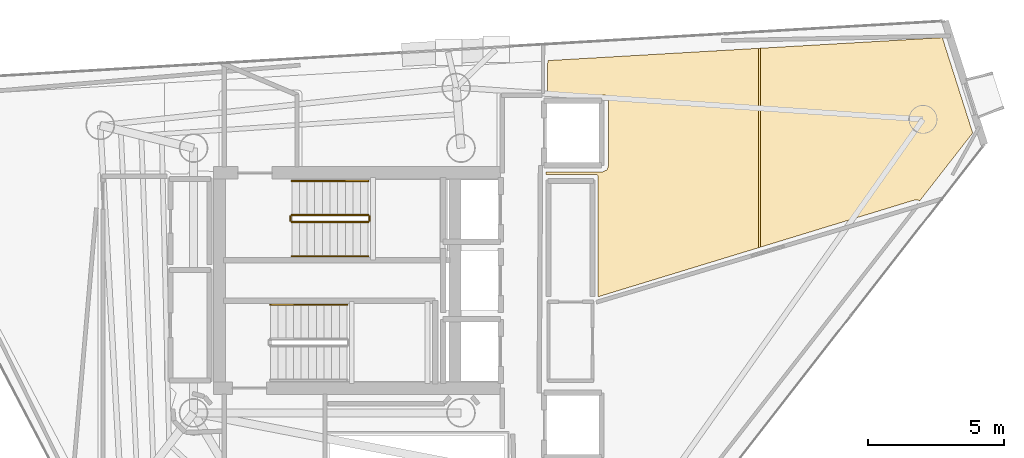
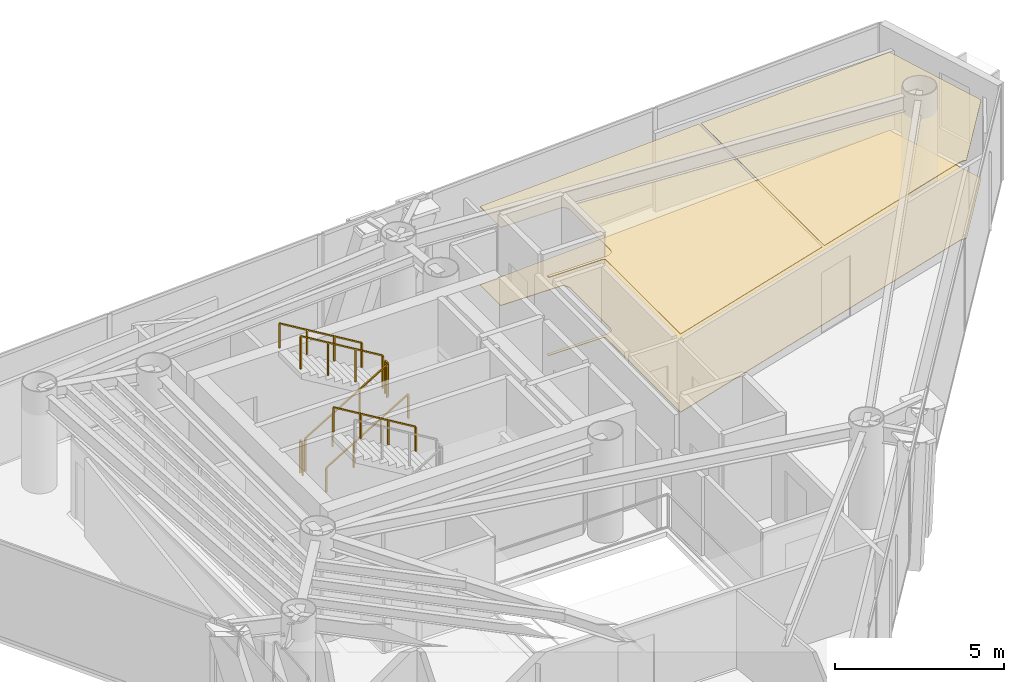
# One storey, part 18 of 18: 7 railings, 3 coverings.
"""IFC4 building model written with IfcOpenShell, lengths in metres."""

from ifc_helpers import new_model, si_unit, direction, frame, origin, origin_2d, place, context, subcontext, project, spatial, polyline, rectangle, outline, extrude, material, layer, layer_set, type_object, element, save


model = new_model("IFC4")

# Units and contexts
model_context = context("Model", 3, precision=1e-05, world=origin(), true_north=direction((0.0, 1.0)))
body_context = subcontext(model_context, "Body", "Model", "MODEL_VIEW")
ifc_project = project(units=[si_unit("LENGTHUNIT", "METRE"), si_unit("AREAUNIT", "SQUARE_METRE"), si_unit("VOLUMEUNIT", "CUBIC_METRE"), si_unit("PLANEANGLEUNIT", "RADIAN"), si_unit("MASSUNIT", "GRAM", prefix="KILO")], contexts=[model_context])

# Site, building, storey
site_placement = place(None, origin())
site = spatial("IfcSite", under=ifc_project, at=site_placement, CompositionType="ELEMENT")
building_placement = place(site_placement, origin())
building = spatial("IfcBuilding", under=site, at=building_placement, Name="Qianvela Tower", CompositionType="ELEMENT")
storey_placement = place(building_placement, frame((0.0, 0.0, 264.89990234375)))
storey = spatial("IfcBuildingStorey", under=building, at=storey_placement, Name="L68", CompositionType="ELEMENT", Elevation=264.89990234375)

# Coverings
ifc_material_1 = material(Name="Perforated Mineral Acoustic Ceiling Tile")
ifc_layer_1 = layer(ifc_material_1, 0.02490234375)
ifc_layer_set_1 = layer_set([ifc_layer_1], Name="Perforated Mineral Acoustic Ceiling Tile")
covering_type_1 = type_object("IfcCoveringType", Name="COV-CEIL-ACOUSTIC-25", PredefinedType="CEILING", material=ifc_layer_set_1)
covering_1_placement = place(storey_placement, frame((0.0, 0.0, 2.815185546875)))
element("IfcCovering", 1, at=covering_1_placement, inside=storey, type_object=covering_type_1, Name="L68 Acoustic Ceiling Bay 1 Campus Convenience Shop L68-04", PredefinedType="CEILING", context=body_context, shape_type="SweptSolid", body=[
    extrude(outline(polyline([(41.569580078125, 35.520751953125), (41.572265625, 35.52783203125), (41.57421875, 35.535400390625), (41.5751953125, 35.54296875), (41.57568359375, 35.550537109375), (41.580322265625, 36.759765625), (49.302490234375, 37.20849609375), (49.302490234375, 29.901123046875), (43.429931640625, 28.105712890625), (43.429931640625, 32.5), (43.4296875, 32.5078125), (43.428466796875, 32.515625), (43.426513671875, 32.523193359375), (43.423828125, 32.530517578125), (43.420654296875, 32.53759765625), (43.41650390625, 32.54443359375), (43.411865234375, 32.55078125), (43.406494140625, 32.556640625), (43.40087890625, 32.561767578125), (43.394287109375, 32.56640625), (43.3876953125, 32.570556640625), (43.380615234375, 32.573974609375), (43.373291015625, 32.57666015625), (43.365478515625, 32.57861328125), (43.35791015625, 32.57958984375), (43.35009765625, 32.580078125), (41.52001953125, 32.580078125), (41.52001953125, 32.679931640625), (43.580078125, 32.679931640625), (43.587158203125, 32.680419921875), (43.593994140625, 32.68115234375), (43.60107421875, 32.682861328125), (43.607666015625, 32.684814453125), (43.6142578125, 32.687744140625), (43.722412109375, 32.739013671875), (43.729248046875, 32.74267578125), (43.73583984375, 32.746826171875), (43.741943359375, 32.751953125), (43.74755859375, 32.757568359375), (43.75244140625, 32.763427734375), (43.7568359375, 32.77001953125), (43.760498046875, 32.777099609375), (43.763427734375, 32.7841796875), (43.79541015625, 32.873046875), (43.7978515625, 32.8818359375), (43.799560546875, 32.890869140625), (43.800048828125, 32.89990234375), (43.800048828125, 35.300048828125), (43.7998046875, 35.30712890625), (43.798583984375, 35.314208984375), (43.797119140625, 35.3212890625), (43.794921875, 35.328125), (43.7919921875, 35.334716796875), (43.78857421875, 35.341064453125), (43.714599609375, 35.464599609375), (43.710205078125, 35.471435546875), (43.704833984375, 35.477783203125), (43.698974609375, 35.4833984375), (43.692626953125, 35.488525390625), (43.685791015625, 35.492919921875), (43.678466796875, 35.49658203125), (43.670654296875, 35.49951171875), (43.662841796875, 35.501708984375), (43.65478515625, 35.5029296875), (43.646484375, 35.50341796875), (41.569091796875, 35.51904296875), (41.569580078125, 35.520751953125)])), origin(), (0.0, 0.0, 1.0), 0.02490234375),
])
covering_2_placement = place(storey_placement, frame((0.0, 0.0, 2.815185546875)))
element("IfcCovering", 2, at=covering_2_placement, inside=storey, type_object=covering_type_1, Name="L68 Acoustic Ceiling Bay 2 Campus Convenience Shop L68-04", PredefinedType="CEILING", context=body_context, shape_type="SweptSolid", body=[
    extrude(outline(polyline([(56.039306640625, 37.60009765625), (57.1513671875, 34.107177734375), (55.21240234375, 31.62255859375), (55.163330078125, 31.64453125), (55.15625, 31.647216796875), (55.14892578125, 31.6494140625), (55.141357421875, 31.65087890625), (55.1337890625, 31.6513671875), (55.1259765625, 31.6513671875), (55.0126953125, 31.64453125), (55.003173828125, 31.6435546875), (54.993896484375, 31.641357421875), (49.382568359375, 29.925537109375), (49.382568359375, 37.213134765625), (56.039306640625, 37.60009765625)])), origin(), (0.0, 0.0, 1.0), 0.02490234375),
])
ifc_material_2 = material(Name="Engineered Acoustic Oak Timber Flooring", Category="wood")
ifc_layer_2 = layer(ifc_material_2, 0.02001953125)
ifc_layer_set_2 = layer_set([ifc_layer_2], Name="Engineered Acoustic Oak Timber Flooring")
covering_type_2 = type_object("IfcCoveringType", Name="COV-FLOOR-OAK-20", PredefinedType="FLOORING", material=ifc_layer_set_2)
covering_3_placement = place(storey_placement, origin())
element("IfcCovering", 3, at=covering_3_placement, inside=storey, type_object=covering_type_2, Name="L68 Finish Flooring Campus Convenience Shop L68-04", PredefinedType="FLOORING", context=body_context, shape_type="SweptSolid", body=[
    extrude(outline(polyline([(41.569091796875, 35.51904296875), (41.569580078125, 35.520751953125), (41.572265625, 35.52783203125), (41.57421875, 35.535400390625), (41.5751953125, 35.54296875), (41.57568359375, 35.550537109375), (41.580322265625, 36.759765625), (56.039306640625, 37.60009765625), (57.1513671875, 34.107177734375), (55.21240234375, 31.62255859375), (55.163330078125, 31.64453125), (55.15625, 31.647216796875), (55.14892578125, 31.6494140625), (55.141357421875, 31.65087890625), (55.1337890625, 31.6513671875), (55.1259765625, 31.6513671875), (55.0126953125, 31.64453125), (55.003173828125, 31.6435546875), (54.993896484375, 31.641357421875), (43.429931640625, 28.105712890625), (43.429931640625, 32.5), (43.4296875, 32.5078125), (43.428466796875, 32.515625), (43.426513671875, 32.523193359375), (43.423828125, 32.530517578125), (43.420654296875, 32.53759765625), (43.41650390625, 32.54443359375), (43.411865234375, 32.55078125), (43.406494140625, 32.556640625), (43.40087890625, 32.561767578125), (43.394287109375, 32.56640625), (43.3876953125, 32.570556640625), (43.380615234375, 32.573974609375), (43.373291015625, 32.57666015625), (43.365478515625, 32.57861328125), (43.35791015625, 32.57958984375), (43.35009765625, 32.580078125), (41.52001953125, 32.580078125), (41.52001953125, 32.679931640625), (43.580078125, 32.679931640625), (43.587158203125, 32.680419921875), (43.593994140625, 32.68115234375), (43.60107421875, 32.682861328125), (43.607666015625, 32.684814453125), (43.6142578125, 32.687744140625), (43.722412109375, 32.739013671875), (43.729248046875, 32.74267578125), (43.73583984375, 32.746826171875), (43.741943359375, 32.751953125), (43.74755859375, 32.757568359375), (43.75244140625, 32.763427734375), (43.7568359375, 32.77001953125), (43.760498046875, 32.777099609375), (43.763427734375, 32.7841796875), (43.79541015625, 32.873046875), (43.7978515625, 32.8818359375), (43.799560546875, 32.890869140625), (43.800048828125, 32.89990234375), (43.800048828125, 35.300048828125), (43.7998046875, 35.30712890625), (43.798583984375, 35.314208984375), (43.797119140625, 35.3212890625), (43.794921875, 35.328125), (43.7919921875, 35.334716796875), (43.78857421875, 35.341064453125), (43.714599609375, 35.464599609375), (43.710205078125, 35.471435546875), (43.704833984375, 35.477783203125), (43.698974609375, 35.4833984375), (43.692626953125, 35.488525390625), (43.685791015625, 35.492919921875), (43.678466796875, 35.49658203125), (43.670654296875, 35.49951171875), (43.662841796875, 35.501708984375), (43.65478515625, 35.5029296875), (43.646484375, 35.50341796875), (41.569091796875, 35.51904296875)])), origin(), (0.0, 0.0, 1.0), 0.02001953125),
])

# Railings
ifc_material_3 = material(Name="Painted Tubular Steel Q355B", Category="steel")
railing_type_1 = type_object("IfcRailingType", Name="RL-STAIR-GUARD-1200", PredefinedType="GUARDRAIL", material=ifc_material_3)
railing_1_placement = place(storey_placement, frame((32.199951171875, 30.840087890625, 0.168212890625)))
element("IfcRailing", 4, at=railing_1_placement, inside=storey, type_object=railing_type_1, Name="L68 ST-1 stair guard 1", PredefinedType="GUARDRAIL", context=body_context, shape_type="SweptSolid", body=[
    extrude(rectangle(XDim=0.050048828125, YDim=0.0400390625, at=origin_2d()), frame((0.0, 0.0, 1.179931640625), z_axis=(0.857242210791, 0.0, 0.514913383045), x_axis=(0.0, 1.0, 0.0)), (0.0, 0.0, 1.0), 3.266357421875),
    extrude(rectangle(XDim=0.050048828125, YDim=0.050048828125, at=origin_2d()), origin(), (0.0, 0.0, 1.0), 1.159912109375),
    extrude(rectangle(XDim=0.050048828125, YDim=0.050048828125, at=origin_2d()), frame((0.933349609375, 0.0, 0.560546875)), (0.0, 0.0, 1.0), 1.159912109375),
    extrude(rectangle(XDim=0.050048828125, YDim=0.050048828125, at=origin_2d()), frame((1.86669921875, 0.0, 1.121337890625)), (0.0, 0.0, 1.0), 1.159912109375),
    extrude(rectangle(XDim=0.050048828125, YDim=0.050048828125, at=origin_2d()), frame((2.800048828125, 0.0, 1.681884765625)), (0.0, 0.0, 1.0), 1.159912109375),
])
railing_2_placement = place(storey_placement, frame((35.050048828125, 30.889892578125, 1.85009765625)))
element("IfcRailing", 5, at=railing_2_placement, inside=storey, type_object=railing_type_1, Name="L68 ST-1 stair guard 2", PredefinedType="GUARDRAIL", context=body_context, shape_type="SweptSolid", body=[
    extrude(rectangle(XDim=0.050048828125, YDim=0.0400390625, at=origin_2d()), frame((0.0, 0.0, 1.179931640625), z_axis=(0.0, 1.0, 0.0), x_axis=(-1.0, 0.0, 0.0)), (0.0, 0.0, 1.0), 0.16015625),
    extrude(rectangle(XDim=0.050048828125, YDim=0.050048828125, at=origin_2d()), origin(), (0.0, 0.0, 1.0), 1.159912109375),
    extrude(rectangle(XDim=0.050048828125, YDim=0.050048828125, at=origin_2d()), frame((0.0, 0.16015625, 0.0)), (0.0, 0.0, 1.0), 1.159912109375),
])
railing_3_placement = place(storey_placement, frame((35.0, 31.10009765625, 2.018310546875)))
element("IfcRailing", 6, at=railing_3_placement, inside=storey, type_object=railing_type_1, Name="L68 ST-1 stair guard 3", PredefinedType="GUARDRAIL", context=body_context, shape_type="SweptSolid", body=[
    extrude(rectangle(XDim=0.050048828125, YDim=0.0400390625, at=origin_2d()), frame((0.0, 0.0, 1.179931640625), z_axis=(-0.857242210791, 0.0, 0.514913383045), x_axis=(0.0, -1.0, 0.0)), (0.0, 0.0, 1.0), 3.266357421875),
    extrude(rectangle(XDim=0.050048828125, YDim=0.050048828125, at=origin_2d()), origin(), (0.0, 0.0, 1.0), 1.159912109375),
    extrude(rectangle(XDim=0.050048828125, YDim=0.050048828125, at=origin_2d()), frame((-0.933349609375, 0.0, 0.560546875)), (0.0, 0.0, 1.0), 1.159912109375),
    extrude(rectangle(XDim=0.050048828125, YDim=0.050048828125, at=origin_2d()), frame((-1.86669921875, 0.0, 1.121337890625)), (0.0, 0.0, 1.0), 1.159912109375),
    extrude(rectangle(XDim=0.050048828125, YDim=0.050048828125, at=origin_2d()), frame((-2.800048828125, 0.0, 1.681884765625)), (0.0, 0.0, 1.0), 1.159912109375),
])
railing_4_placement = place(storey_placement, frame((32.14990234375, 30.889892578125, 0.0)))
element("IfcRailing", 7, at=railing_4_placement, inside=storey, type_object=railing_type_1, Name="L68 ST-1 stair guard 4", PredefinedType="GUARDRAIL", context=body_context, shape_type="SweptSolid", body=[
    extrude(rectangle(XDim=0.050048828125, YDim=0.0400390625, at=origin_2d()), frame((0.0, 0.0, 1.179931640625), z_axis=(0.0, 1.0, 0.0), x_axis=(-1.0, 0.0, 0.0)), (0.0, 0.0, 1.0), 0.16015625),
    extrude(rectangle(XDim=0.050048828125, YDim=0.050048828125, at=origin_2d()), origin(), (0.0, 0.0, 1.0), 1.159912109375),
    extrude(rectangle(XDim=0.050048828125, YDim=0.050048828125, at=origin_2d()), frame((0.0, 0.16015625, 0.0)), (0.0, 0.0, 1.0), 1.159912109375),
])
ifc_material_4 = material(Name="Brushed Stainless Steel 304", Category="steel")
railing_type_2 = type_object("IfcRailingType", Name="RL-STAIR-HANDRAIL-900", PredefinedType="HANDRAIL", material=ifc_material_4)
railing_5_placement = place(storey_placement, frame((32.199951171875, 29.590087890625, 0.168212890625)))
element("IfcRailing", 8, at=railing_5_placement, inside=storey, type_object=railing_type_2, Name="L68 ST-1 stair handrail 1", PredefinedType="HANDRAIL", context=body_context, shape_type="SweptSolid", body=[
    extrude(rectangle(XDim=0.050048828125, YDim=0.0400390625, at=origin_2d()), frame((0.0, 0.0, 0.8798828125), z_axis=(0.857242210791, 0.0, 0.514913383045), x_axis=(0.0, 1.0, 0.0)), (0.0, 0.0, 1.0), 3.266357421875),
    extrude(rectangle(XDim=0.050048828125, YDim=0.050048828125, at=origin_2d()), origin(), (0.0, 0.0, 1.0), 0.85986328125),
    extrude(rectangle(XDim=0.050048828125, YDim=0.050048828125, at=origin_2d()), frame((0.933349609375, 0.0, 0.560546875)), (0.0, 0.0, 1.0), 0.85986328125),
    extrude(rectangle(XDim=0.050048828125, YDim=0.050048828125, at=origin_2d()), frame((1.86669921875, 0.0, 1.121337890625)), (0.0, 0.0, 1.0), 0.85986328125),
    extrude(rectangle(XDim=0.050048828125, YDim=0.050048828125, at=origin_2d()), frame((2.800048828125, 0.0, 1.681884765625)), (0.0, 0.0, 1.0), 0.85986328125),
])
for number, where, name in (
    (9, (35.0, 32.35009765625, 2.018310546875), "L68 ST-1 stair handrail 2"),
    (10, (34.219970703125, 27.81005859375, 2.018310546875), "L68 ST-2 stair handrail 2"),
):
    element("IfcRailing", number, at=place(storey_placement, frame(where)), inside=storey, type_object=railing_type_2, Name=name, PredefinedType="HANDRAIL", context=body_context, shape_type="SweptSolid", body=[
        extrude(rectangle(XDim=0.050048828125, YDim=0.0400390625, at=origin_2d()), frame((0.0, 0.0, 0.8798828125), z_axis=(-0.857242210791, 0.0, 0.514913383045), x_axis=(0.0, -1.0, 0.0)), (0.0, 0.0, 1.0), 3.266357421875),
        extrude(rectangle(XDim=0.050048828125, YDim=0.050048828125, at=origin_2d()), origin(), (0.0, 0.0, 1.0), 0.85986328125),
        extrude(rectangle(XDim=0.050048828125, YDim=0.050048828125, at=origin_2d()), frame((-0.933349609375, 0.0, 0.560546875)), (0.0, 0.0, 1.0), 0.85986328125),
        extrude(rectangle(XDim=0.050048828125, YDim=0.050048828125, at=origin_2d()), frame((-1.86669921875, 0.0, 1.121337890625)), (0.0, 0.0, 1.0), 0.85986328125),
        extrude(rectangle(XDim=0.050048828125, YDim=0.050048828125, at=origin_2d()), frame((-2.800048828125, 0.0, 1.681884765625)), (0.0, 0.0, 1.0), 0.85986328125),
    ])

save(model, "model.ifc")
